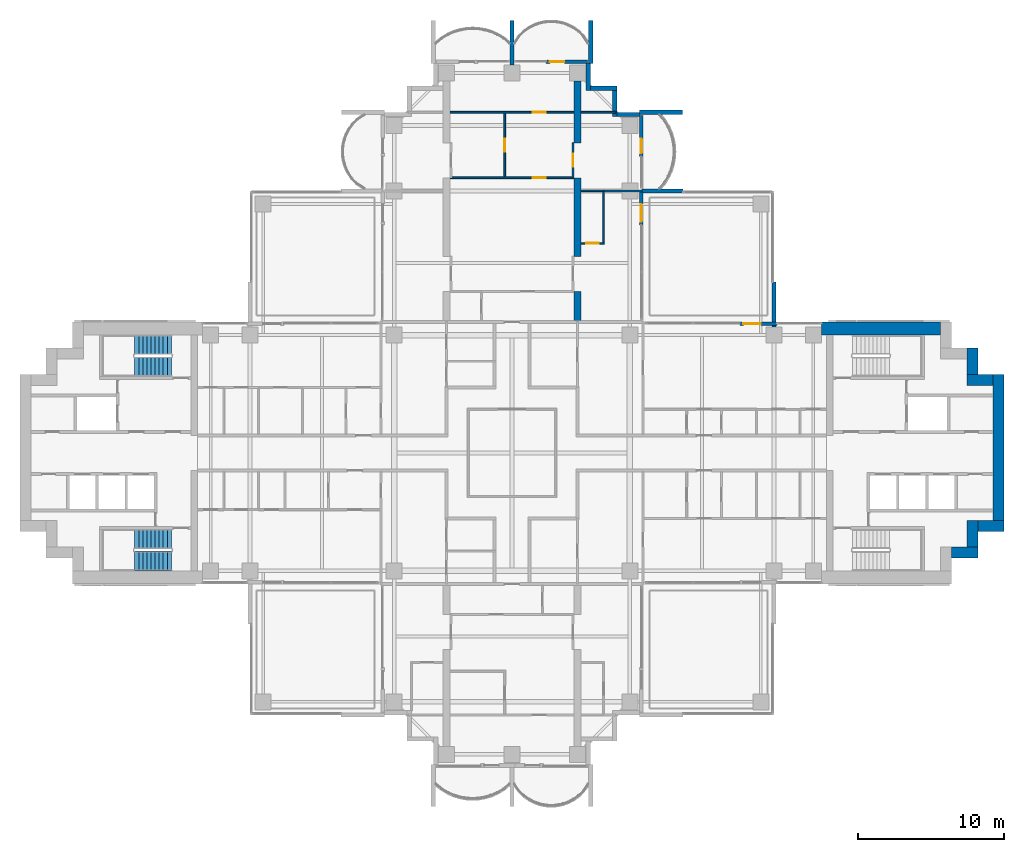
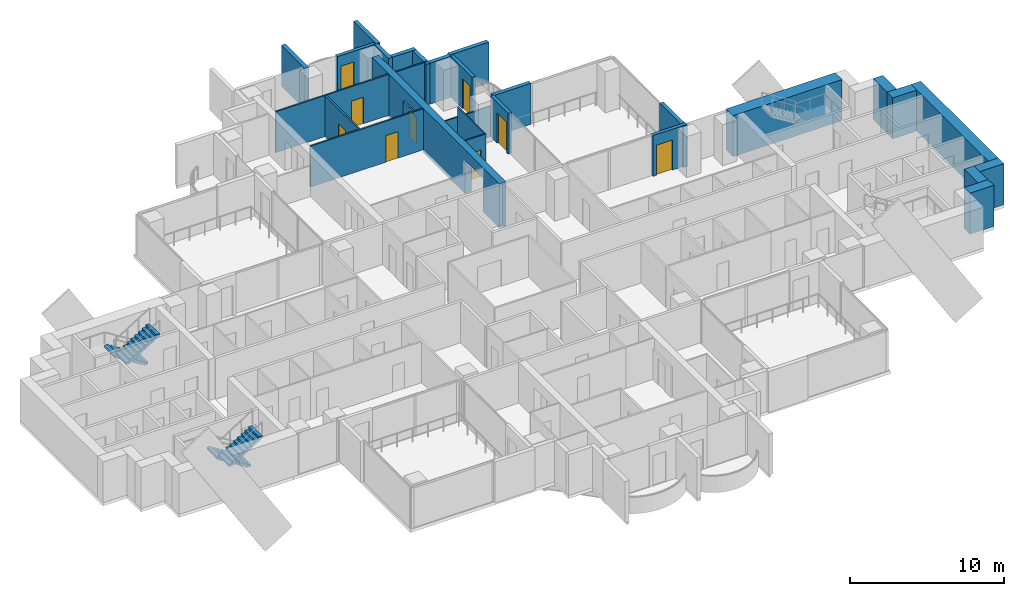
# One storey, part 14 of 19: 30 walls, 9 doors, 4 stair flights, 9 openings, 2 elements without a shape of their own.
"""IFC4 building model written with IfcOpenShell, lengths in metres."""

import ifcopenshell
import ifcopenshell.guid

model = None  # the IFC model being written
_history = None  # IfcOwnerHistory: only IFC2X3 demands one
_inside = {}  # id of a spatial element -> (the spatial element, [elements in it])
_under = {}  # id of a project, library or spatial element -> (it, [spatial elements below it])
_declared = {}  # id of a project -> (the project, [libraries it declares])
_typed = {}  # id of a type object -> (the type object, [elements of that type])
_made_of = {}  # id of a material, layer set ... -> (it, [elements and type objects made of it])


def new_model(schema):
    """Start an empty IFC model of exactly this schema.

    Asked for "IFC4X3", IfcOpenShell would pick the latest addendum, in which some entities
    have other attributes; the version numbers below select the first issue.
    IFC2X3 requires an IfcOwnerHistory on every rooted entity: one is made here for all.
    """
    global model, _history
    if schema == "IFC4X3":
        model = ifcopenshell.file(schema_version=(4, 3, 0, 0))
    else:
        model = ifcopenshell.file(schema=schema)
    _inside.clear()
    _under.clear()
    _declared.clear()
    _typed.clear()
    _made_of.clear()
    _history = None
    if model.schema == "IFC2X3":
        org = make("IfcOrganization", Name="unknown")
        user = make(
            "IfcPersonAndOrganization",
            ThePerson=make("IfcPerson", FamilyName="unknown"),
            TheOrganization=org,
        )
        app = make(
            "IfcApplication",
            ApplicationDeveloper=org,
            Version="unknown",
            ApplicationFullName="unknown",
            ApplicationIdentifier="unknown",
        )
        _history = make(
            "IfcOwnerHistory",
            OwningUser=user,
            OwningApplication=app,
            ChangeAction="ADDED",
            CreationDate=0,
        )
    return model


def make(cls, **values):
    """One entity of the class cls with the attributes given. An attribute that is None is left unset."""
    return model.create_entity(
        cls, **{name: value for name, value in values.items() if value is not None}
    )


def rooted(cls, **values):
    """An entity with a GlobalId (a new one), such as an element, a storey or a relation."""
    return make(cls, GlobalId=ifcopenshell.guid.new(), OwnerHistory=_history, **values)


def si_unit(unit_type, name, prefix=None):
    """IfcSIUnit, for example si_unit("LENGTHUNIT", "METRE", prefix="MILLI")."""
    return make("IfcSIUnit", UnitType=unit_type, Prefix=prefix, Name=name)


def assignment(units):
    """IfcUnitAssignment: the units of a project."""
    return None if units is None else make("IfcUnitAssignment", Units=units)


def point(xyz):
    """IfcCartesianPoint."""
    return None if xyz is None else make("IfcCartesianPoint", Coordinates=xyz)


def direction(xyz):
    """IfcDirection."""
    return None if xyz is None else make("IfcDirection", DirectionRatios=xyz)


def frame(location, z_axis=None, x_axis=None):
    """IfcAxis2Placement3D, a coordinate frame: its origin and axes. An axis left out is left unset."""
    return make(
        "IfcAxis2Placement3D",
        Location=point(location),
        Axis=direction(z_axis),
        RefDirection=direction(x_axis),
    )


def frame_2d(location, x_axis=None):
    """IfcAxis2Placement2D, a coordinate frame in the plane: its origin and x axis."""
    return make(
        "IfcAxis2Placement2D", Location=point(location), RefDirection=direction(x_axis)
    )


def origin():
    """The frame at (0, 0, 0) with its axes left unset."""
    return frame((0.0, 0.0, 0.0))


def place(relative_to, where):
    """IfcLocalPlacement: puts the frame where relative to a parent placement (None: the world)."""
    return make(
        "IfcLocalPlacement", PlacementRelTo=relative_to, RelativePlacement=where
    )


def context(
    kind, dimensions, precision=None, world=None, true_north=None, identifier=None
):
    """IfcGeometricRepresentationContext, for example the 3D "Model" context."""
    return make(
        "IfcGeometricRepresentationContext",
        ContextIdentifier=identifier,
        ContextType=kind,
        CoordinateSpaceDimension=dimensions,
        Precision=precision,
        WorldCoordinateSystem=world,
        TrueNorth=true_north,
    )


def subcontext(parent, identifier, kind, view, scale=None):
    """IfcGeometricRepresentationSubContext, for example "Body" below "Model"."""
    return make(
        "IfcGeometricRepresentationSubContext",
        ContextIdentifier=identifier,
        ContextType=kind,
        ParentContext=parent,
        TargetScale=scale,
        TargetView=view,
    )


def project(units=None, contexts=None):
    """IfcProject with its units and contexts."""
    return rooted(
        "IfcProject",
        Name="project",
        RepresentationContexts=contexts,
        UnitsInContext=assignment(units),
    )


def spatial(cls, under=None, at=None, **own):
    """A site, building, storey or space (cls), placed at a placement, below another one or the project."""
    s = rooted(cls, ObjectPlacement=at, **own)
    if under is not None:
        _under.setdefault(under.id(), (under, []))[1].append(s)
    return s


def polyline(points):
    """IfcPolyline through the points."""
    return make("IfcPolyline", Points=[point(p) for p in points])


def profile(cls, at=None, kind="AREA", **sizes):
    """A parametric profile (cls). Its sizes go by their IFC names, for example OverallWidth=200.0."""
    return make(cls, ProfileType=kind, Position=at, **sizes)


def rectangle(**sizes):
    """IfcRectangleProfileDef."""
    return profile("IfcRectangleProfileDef", **sizes)


def outline(outer, holes=None, kind="AREA"):
    """IfcArbitraryClosedProfileDef: a profile drawn as a closed curve; with holes, ...WithVoids."""
    if holes is None:
        return make("IfcArbitraryClosedProfileDef", ProfileType=kind, OuterCurve=outer)
    return make(
        "IfcArbitraryProfileDefWithVoids",
        ProfileType=kind,
        OuterCurve=outer,
        InnerCurves=holes,
    )


def extrude(swept, where, along, depth):
    """IfcExtrudedAreaSolid: the profile swept, set in the frame where, extruded along a direction by depth."""
    return make(
        "IfcExtrudedAreaSolid",
        SweptArea=swept,
        Position=where,
        ExtrudedDirection=direction(along),
        Depth=depth,
    )


def shape(context_of_items, identifier, shape_type, items):
    """IfcShapeRepresentation: the items that make up one representation, for example the "Body"."""
    return make(
        "IfcShapeRepresentation",
        ContextOfItems=context_of_items,
        RepresentationIdentifier=identifier,
        RepresentationType=shape_type,
        Items=items,
    )


def material(Name=None, Category=None):
    """IfcMaterial."""
    return make("IfcMaterial", Name=Name, Category=Category)


def layer(
    of_material, thickness, ventilated=None, Name=None, Category=None, Priority=None
):
    """IfcMaterialLayer: one layer of a wall or slab, of a material (None: an air gap)."""
    return make(
        "IfcMaterialLayer",
        Material=of_material,
        LayerThickness=thickness,
        IsVentilated=ventilated,
        Name=Name,
        Category=Category,
        Priority=Priority,
    )


def layer_set(layers, Name=None):
    """IfcMaterialLayerSet."""
    return make("IfcMaterialLayerSet", MaterialLayers=layers, LayerSetName=Name)


def material_profile(
    of_material, cross_section, Name=None, Category=None, Priority=None
):
    """IfcMaterialProfile: a cross section and its material."""
    return make(
        "IfcMaterialProfile",
        Name=Name,
        Material=of_material,
        Profile=cross_section,
        Priority=Priority,
        Category=Category,
    )


def profile_set(profiles, Name=None, composite=None):
    """IfcMaterialProfileSet."""
    return make(
        "IfcMaterialProfileSet",
        Name=Name,
        MaterialProfiles=profiles,
        CompositeProfile=composite,
    )


def made_of(thing, what):
    """Note that an element or type object is made of a material, layer set ...; save() writes the relation."""
    if what is not None:
        _made_of.setdefault(what.id(), (what, []))[1].append(thing)
    return thing


def type_object(cls, material=None, **own):
    """A type object (cls), such as IfcWallType, which elements share."""
    return made_of(rooted(cls, **own), material)


def element(
    cls,
    number,
    at=None,
    inside=None,
    cuts=None,
    type_object=None,
    material=None,
    context=None,
    identifier="Body",
    shape_type=None,
    held_by="IfcProductDefinitionShape",
    body=None,
    shapes=None,
    **own,
):
    """One element of the class cls, such as IfcWall. Its Tag is "e" and its number.

    at: its placement. inside: the storey or other place that contains it. cuts: it is an
    opening in that element (IfcRelVoidsElement). A single representation is given by context,
    identifier, shape_type and body (its items); several are given by shapes. held_by: the class
    of the entity that holds the representations. save() writes the other relations.
    """
    e = rooted(cls, Tag="e%d" % number, ObjectPlacement=at, **own)
    if body is not None:
        shapes = [shape(context, identifier, shape_type, body)]
    if shapes is not None:
        e.Representation = make(held_by, Representations=shapes)
    if inside is not None:
        _inside.setdefault(inside.id(), (inside, []))[1].append(e)
    if cuts is not None:
        rooted(
            "IfcRelVoidsElement", RelatingBuildingElement=cuts, RelatedOpeningElement=e
        )
    if type_object is not None:
        _typed.setdefault(type_object.id(), (type_object, []))[1].append(e)
    return made_of(e, material)


def fill(opening, filler):
    """IfcRelFillsElement: the door or window that sits in an opening."""
    return rooted(
        "IfcRelFillsElement",
        RelatingOpeningElement=opening,
        RelatedBuildingElement=filler,
    )


def aggregate(whole, parts):
    """IfcRelAggregates: a whole, such as a stair, and the parts it consists of."""
    return rooted("IfcRelAggregates", RelatingObject=whole, RelatedObjects=parts)


def save(model, path):
    """Write the relations noted so far, then the file.

    IfcRelAggregates (storeys below a building ...), IfcRelContainedInSpatialStructure (elements
    in a storey), IfcRelDefinesByType, IfcRelAssociatesMaterial and IfcRelDeclares: one each for
    every whole, place, type object, material and project.
    """
    for whole, parts in _under.values():
        aggregate(whole, parts)
    for where, things in _inside.values():
        rooted(
            "IfcRelContainedInSpatialStructure",
            RelatedElements=things,
            RelatingStructure=where,
        )
    for kind, things in _typed.values():
        rooted("IfcRelDefinesByType", RelatedObjects=things, RelatingType=kind)
    for what, things in _made_of.values():
        rooted("IfcRelAssociatesMaterial", RelatedObjects=things, RelatingMaterial=what)
    for by, libraries in _declared.values():
        rooted("IfcRelDeclares", RelatingContext=by, RelatedDefinitions=libraries)
    model.write(path)


model = new_model("IFC4")

# Units and contexts
model_context = context("Model", 3, precision=1e-05, world=origin(), true_north=direction((0.0, 1.0)))
body_context = subcontext(model_context, "Body", "Model", "MODEL_VIEW")
ifc_project = project(units=[si_unit("LENGTHUNIT", "METRE"), si_unit("AREAUNIT", "SQUARE_METRE"), si_unit("VOLUMEUNIT", "CUBIC_METRE"), si_unit("PLANEANGLEUNIT", "RADIAN"), si_unit("MASSUNIT", "GRAM", prefix="KILO")], contexts=[model_context])

# Site, building, storey
site_placement = place(None, origin())
site = spatial("IfcSite", under=ifc_project, at=site_placement, CompositionType="ELEMENT")
building_placement = place(site_placement, origin())
building = spatial("IfcBuilding", under=site, at=building_placement, Name="Perihelion Cross Residences", CompositionType="ELEMENT")
storey_placement = place(building_placement, frame((0.0, 0.0, 137.39990234375)))
storey = spatial("IfcBuildingStorey", under=building, at=storey_placement, Name="L33", CompositionType="ELEMENT", Elevation=137.39990234375)

# Wall, opening, door
ifc_material_1 = material(Name="Concrete C30/37, bronze-clad", Category="concrete")
ifc_layer_1 = layer(ifc_material_1, 0.25)
ifc_layer_set_1 = layer_set([ifc_layer_1], Name="Bronze-clad pier wall 250")
wall_type_1 = type_object("IfcWallType", Name="Bronze-clad pier wall 250", PredefinedType="SOLIDWALL", material=ifc_layer_set_1)
wall_1_placement = place(storey_placement, frame((18.199951171875, 8.875, 0.0), z_axis=(0.0, 0.0, 1.0), x_axis=(-1.0, 0.0, 0.0)))
wall_1 = element("IfcWall", 1, at=wall_1_placement, inside=storey, type_object=wall_type_1, Name="Wall FW1 L33 east side north bay 2 pier", PredefinedType="SOLIDWALL", context=body_context, shape_type="SweptSolid", body=[
    extrude(rectangle(XDim=2.550048828125, YDim=0.25, at=frame_2d((1.27490234375, 0.0))), origin(), (0.0, 0.0, 1.0), 3.25),
])
opening_1_placement = place(wall_1_placement, frame((1.10009765625, 0.0, 0.0)))
opening_1 = element("IfcOpeningElement", 2, at=opening_1_placement, cuts=wall_1, Name="Opening L33.E01", PredefinedType="OPENING", context=body_context, shape_type="SweptSolid", body=[
    extrude(rectangle(XDim=1.199951171875, YDim=2.39990234375, at=frame_2d((0.60009765625, 1.199951171875))), frame((0.0, 0.135009765625, 0.0), z_axis=(0.0, -1.0, 0.0), x_axis=(1.0, 0.0, 0.0)), (0.0, 0.0, 1.0), 0.27001953125),
])
ifc_material_2 = material(Name="Bronze anodised aluminium, glazed", Category="aluminium")
door_type_1 = type_object("IfcDoorType", Name="Balcony door 1200 x 2400", OperationType="NOTDEFINED", PredefinedType="DOOR", material=ifc_material_2)
door_1_placement = place(opening_1_placement, origin())
door_1 = element("IfcDoor", 3, at=door_1_placement, inside=storey, type_object=door_type_1, Name="Door L33.E01 east side north bay 2", OperationType="SINGLE_SWING_RIGHT", OverallHeight=2.39990234375, OverallWidth=1.199951171875, PredefinedType="DOOR", context=body_context, shape_type="SweptSolid", body=[
    extrude(rectangle(XDim=1.199951171875, YDim=2.39990234375, at=frame_2d((0.60009765625, 1.199951171875))), frame((0.0, 0.02490234375, 0.0), z_axis=(0.0, -1.0, 0.0), x_axis=(1.0, 0.0, 0.0)), (0.0, 0.0, 1.0), 0.050048828125),
])
fill(opening_1, door_1)

wall_2_placement = place(storey_placement, frame((8.875, 15.64990234375, 0.0), z_axis=(0.0, 0.0, 1.0), x_axis=(0.0, 1.0, 0.0)))
wall_2 = element("IfcWall", 4, at=wall_2_placement, inside=storey, type_object=wall_type_1, Name="Wall FW1 L33 north side east bay 1 pier", PredefinedType="SOLIDWALL", context=body_context, shape_type="SweptSolid", body=[
    extrude(rectangle(XDim=2.2900390625, YDim=0.25, at=frame_2d((1.14501953125, 0.0))), origin(), (0.0, 0.0, 1.0), 3.25),
])
opening_2_placement = place(wall_2_placement, frame((0.25, 0.0, 0.0)))
opening_2 = element("IfcOpeningElement", 5, at=opening_2_placement, cuts=wall_2, Name="Opening L33.E02", PredefinedType="OPENING", context=body_context, shape_type="SweptSolid", body=[
    extrude(rectangle(XDim=1.199951171875, YDim=2.39990234375, at=frame_2d((0.60009765625, 1.199951171875))), frame((0.0, 0.135009765625, 0.0), z_axis=(0.0, -1.0, 0.0), x_axis=(1.0, 0.0, 0.0)), (0.0, 0.0, 1.0), 0.27001953125),
])
door_2_placement = place(opening_2_placement, origin())
door_2 = element("IfcDoor", 6, at=door_2_placement, inside=storey, type_object=door_type_1, Name="Door L33.E02 north side east bay 1", OperationType="SINGLE_SWING_LEFT", OverallHeight=2.39990234375, OverallWidth=1.199951171875, PredefinedType="DOOR", context=body_context, shape_type="SweptSolid", body=[
    extrude(rectangle(XDim=1.199951171875, YDim=2.39990234375, at=frame_2d((0.60009765625, 1.199951171875))), frame((0.0, 0.02490234375, 0.0), z_axis=(0.0, -1.0, 0.0), x_axis=(1.0, 0.0, 0.0)), (0.0, 0.0, 1.0), 0.050048828125),
])
fill(opening_2, door_2)

wall_3_placement = place(storey_placement, frame((8.875, 20.35009765625, 0.0), z_axis=(0.0, 0.0, 1.0), x_axis=(0.0, 1.0, 0.0)))
wall_3 = element("IfcWall", 7, at=wall_3_placement, inside=storey, type_object=wall_type_1, Name="Wall FW1 L33 north side east bay 2 pier", PredefinedType="SOLIDWALL", context=body_context, shape_type="SweptSolid", body=[
    extrude(rectangle(XDim=2.849853515625, YDim=0.25, at=frame_2d((1.4248046875, 0.0))), origin(), (0.0, 0.0, 1.0), 3.25),
])
opening_3_placement = place(wall_3_placement, frame((0.25, 0.0, 0.0)))
opening_3 = element("IfcOpeningElement", 8, at=opening_3_placement, cuts=wall_3, Name="Opening L33.E03", PredefinedType="OPENING", context=body_context, shape_type="SweptSolid", body=[
    extrude(rectangle(XDim=1.0, YDim=2.39990234375, at=frame_2d((0.5, 1.199951171875))), frame((0.0, 0.135009765625, 0.0), z_axis=(0.0, -1.0, 0.0), x_axis=(1.0, 0.0, 0.0)), (0.0, 0.0, 1.0), 0.27001953125),
])
ifc_material_3 = material(Name="Bronze anodised aluminium, glazed", Category="aluminium")
door_type_2 = type_object("IfcDoorType", Name="Balcony door 1000 x 2400", OperationType="NOTDEFINED", PredefinedType="DOOR", material=ifc_material_3)
door_3_placement = place(opening_3_placement, origin())
door_3 = element("IfcDoor", 9, at=door_3_placement, inside=storey, type_object=door_type_2, Name="Door L33.E03 north side east bay 2", OperationType="SINGLE_SWING_RIGHT", OverallHeight=2.39990234375, OverallWidth=1.0, PredefinedType="DOOR", context=body_context, shape_type="SweptSolid", body=[
    extrude(rectangle(XDim=1.0, YDim=2.39990234375, at=frame_2d((0.5, 1.199951171875))), frame((0.0, 0.02490234375, 0.0), z_axis=(0.0, -1.0, 0.0), x_axis=(1.0, 0.0, 0.0)), (0.0, 0.0, 1.0), 0.050048828125),
])
fill(opening_3, door_3)

wall_4_placement = place(storey_placement, frame((5.199951171875, 26.875, 0.0), z_axis=(0.0, 0.0, 1.0), x_axis=(-1.0, 0.0, 0.0)))
wall_4 = element("IfcWall", 10, at=wall_4_placement, inside=storey, type_object=wall_type_1, Name="Wall FW1 L33 north tip north bay 1 pier", PredefinedType="SOLIDWALL", context=body_context, shape_type="SweptSolid", body=[
    extrude(rectangle(XDim=2.849853515625, YDim=0.25, at=frame_2d((1.4248046875, 0.0))), origin(), (0.0, 0.0, 1.0), 3.25),
])
opening_4_placement = place(wall_4_placement, frame((1.60009765625, 0.0, 0.0)))
opening_4 = element("IfcOpeningElement", 11, at=opening_4_placement, cuts=wall_4, Name="Opening L33.E04", PredefinedType="OPENING", context=body_context, shape_type="SweptSolid", body=[
    extrude(rectangle(XDim=1.0, YDim=2.39990234375, at=frame_2d((0.5, 1.199951171875))), frame((0.0, 0.135009765625, 0.0), z_axis=(0.0, -1.0, 0.0), x_axis=(1.0, 0.0, 0.0)), (0.0, 0.0, 1.0), 0.27001953125),
])
door_4_placement = place(opening_4_placement, origin())
door_4 = element("IfcDoor", 12, at=door_4_placement, inside=storey, type_object=door_type_2, Name="Door L33.E04 north tip north bay 1", OperationType="SINGLE_SWING_LEFT", OverallHeight=2.39990234375, OverallWidth=1.0, PredefinedType="DOOR", context=body_context, shape_type="SweptSolid", body=[
    extrude(rectangle(XDim=1.0, YDim=2.39990234375, at=frame_2d((0.5, 1.199951171875))), frame((0.0, 0.02490234375, 0.0), z_axis=(0.0, -1.0, 0.0), x_axis=(1.0, 0.0, 0.0)), (0.0, 0.0, 1.0), 0.050048828125),
])
fill(opening_4, door_4)

# Walls
ifc_material_4 = material(Name="Concrete C30/37, bronze-clad", Category="concrete")
ifc_layer_2 = layer(ifc_material_4, 0.300048828125)
ifc_layer_set_2 = layer_set([ifc_layer_2], Name="Bronze-clad serration wall 300")
wall_type_2 = type_object("IfcWallType", Name="Bronze-clad serration wall 300", PredefinedType="SOLIDWALL", material=ifc_layer_set_2)
wall_5_placement = place(storey_placement, frame((8.75, 23.25, 0.0), z_axis=(0.0, 0.0, 1.0), x_axis=(-1.0, 0.0, 0.0)))
element("IfcWall", 13, at=wall_5_placement, inside=storey, type_object=wall_type_2, Name="Wall SR1 L33 north corner north-east 1", PredefinedType="SOLIDWALL", context=body_context, shape_type="SweptSolid", body=[
    extrude(rectangle(XDim=1.550048828125, YDim=0.300048828125, at=frame_2d((0.77490234375, 0.0))), origin(), (0.0, 0.0, 1.0), 3.25),
])
wall_6_placement = place(storey_placement, frame((7.050048828125, 23.10009765625, 0.0), z_axis=(0.0, 0.0, 1.0), x_axis=(0.0, 1.0, 0.0)))
element("IfcWall", 14, at=wall_6_placement, inside=storey, type_object=wall_type_2, Name="Wall SR1 L33 north corner north-east 2", PredefinedType="SOLIDWALL", context=body_context, shape_type="SweptSolid", body=[
    extrude(rectangle(XDim=1.7998046875, YDim=0.300048828125, at=frame_2d((0.89990234375, 0.0))), origin(), (0.0, 0.0, 1.0), 3.25),
])
wall_7_placement = place(storey_placement, frame((7.199951171875, 25.050048828125, 0.0), z_axis=(0.0, 0.0, 1.0), x_axis=(-1.0, 0.0, 0.0)))
element("IfcWall", 15, at=wall_7_placement, inside=storey, type_object=wall_type_2, Name="Wall SR1 L33 north corner north-east 3", PredefinedType="SOLIDWALL", context=body_context, shape_type="SweptSolid", body=[
    extrude(rectangle(XDim=1.800048828125, YDim=0.300048828125, at=frame_2d((0.89990234375, 0.0))), origin(), (0.0, 0.0, 1.0), 3.25),
])
wall_8_placement = place(storey_placement, frame((5.25, 24.89990234375, 0.0), z_axis=(0.0, 0.0, 1.0), x_axis=(0.0, 1.0, 0.0)))
element("IfcWall", 16, at=wall_8_placement, inside=storey, type_object=wall_type_2, Name="Wall SR1 L33 north corner north-east 4", PredefinedType="SOLIDWALL", context=body_context, shape_type="SweptSolid", body=[
    extrude(rectangle(XDim=1.85009765625, YDim=0.300048828125, at=frame_2d((0.925048828125, 0.0))), origin(), (0.0, 0.0, 1.0), 3.25),
])
ifc_material_5 = material(Name="Concrete C60/75", Category="concrete")
ifc_layer_3 = layer(ifc_material_5, 0.75)
ifc_layer_set_3 = layer_set([ifc_layer_3], Name="Core wall, outer 750")
wall_type_3 = type_object("IfcWallType", Name="Core wall, outer 750", PredefinedType="SHEAR", material=ifc_layer_set_3)
for number, where, z_axis, x_axis, name in (
    (17, (30.199951171875, -6.824951171875, 0.0), (0.0, 0.0, 1.0), (1.0, 0.0, 0.0), "East core core wall, outer"),
    (18, (31.625, -6.449951171875, 0.0), (0.0, 0.0, 1.0), (0.0, 1.0, 0.0), "East core core wall, outer"),
    (19, (32.0, -5.02490234375, 0.0), (0.0, 0.0, 1.0), (1.0, 0.0, 0.0), "East core core wall, outer"),
):
    element("IfcWall", number, at=place(storey_placement, frame(where, z_axis=z_axis, x_axis=x_axis)), inside=storey, type_object=wall_type_3, Name=name, PredefinedType="SHEAR", context=body_context, shape_type="SweptSolid", body=[
        extrude(rectangle(XDim=1.800048828125, YDim=0.75, at=frame_2d((0.89990234375, 0.0))), origin(), (0.0, 0.0, 1.0), 3.25),
    ])
wall_9_placement = place(storey_placement, frame((33.425048828125, -4.64990234375, 0.0), z_axis=(0.0, 0.0, 1.0), x_axis=(0.0, 1.0, 0.0)))
element("IfcWall", 20, at=wall_9_placement, inside=storey, type_object=wall_type_3, Name="East core core wall, outer", PredefinedType="SHEAR", context=body_context, shape_type="SweptSolid", body=[
    extrude(rectangle(XDim=10.0498046875, YDim=0.75, at=frame_2d((5.02490234375, 0.0))), origin(), (0.0, 0.0, 1.0), 3.25),
])
for number, where, z_axis, x_axis, name in (
    (21, (31.25, 5.02490234375, 0.0), (0.0, 0.0, 1.0), (1.0, 0.0, 0.0), "East core core wall, outer"),
    (22, (31.625, 5.39990234375, 0.0), (0.0, 0.0, 1.0), (0.0, 1.0, 0.0), "East core core wall, outer"),
):
    element("IfcWall", number, at=place(storey_placement, frame(where, z_axis=z_axis, x_axis=x_axis)), inside=storey, type_object=wall_type_3, Name=name, PredefinedType="SHEAR", context=body_context, shape_type="SweptSolid", body=[
        extrude(rectangle(XDim=1.800048828125, YDim=0.75, at=frame_2d((0.89990234375, 0.0))), origin(), (0.0, 0.0, 1.0), 3.25),
    ])
ifc_material_6 = material(Name="Concrete C60/75", Category="concrete")
ifc_layer_4 = layer(ifc_material_6, 0.89990234375)
ifc_layer_set_4 = layer_set([ifc_layer_4], Name="Core wall, outer 900")
wall_type_4 = type_object("IfcWallType", Name="Core wall, outer 900", PredefinedType="SHEAR", material=ifc_layer_set_4)
wall_10_placement = place(storey_placement, frame((21.25, 8.550048828125, 0.0), z_axis=(0.0, 0.0, 1.0), x_axis=(1.0, 0.0, 0.0)))
element("IfcWall", 23, at=wall_10_placement, inside=storey, type_object=wall_type_4, Name="East core core wall, outer", PredefinedType="SHEAR", context=body_context, shape_type="SweptSolid", body=[
    extrude(rectangle(XDim=8.199951171875, YDim=0.89990234375, at=frame_2d((4.10009765625, 0.0))), origin(), (0.0, 0.0, 1.0), 3.25),
])

# Wall, opening, door
ifc_material_7 = material(Name="Plasterboard partition")
ifc_layer_5 = layer(ifc_material_7, 0.1201171875)
ifc_layer_set_5 = layer_set([ifc_layer_5], Name="Infill panel 120")
wall_type_5 = type_object("IfcWallType", Name="Infill panel 120", PredefinedType="PARTITIONING", material=ifc_layer_set_5)
wall_11_placement = place(storey_placement, frame((4.18994140625, 18.89990234375, 0.0), z_axis=(0.0, 0.0, 1.0), x_axis=(0.0, 1.0, 0.0)))
wall_11 = element("IfcWall", 24, at=wall_11_placement, inside=storey, type_object=wall_type_5, Name="Partition L33 WI02", PredefinedType="PARTITIONING", context=body_context, shape_type="SweptSolid", body=[
    extrude(rectangle(XDim=2.400146484375, YDim=0.1201171875, at=frame_2d((1.2001953125, 0.0))), origin(), (0.0, 0.0, 1.0), 2.400146484375),
])
opening_5_placement = place(wall_11_placement, frame((0.75, 0.0, 0.0)))
opening_5 = element("IfcOpeningElement", 25, at=opening_5_placement, cuts=wall_11, Name="Opening L33.A51", PredefinedType="OPENING", context=body_context, shape_type="SweptSolid", body=[
    extrude(rectangle(XDim=0.89990234375, YDim=2.10009765625, at=frame_2d((0.449951171875, 1.050048828125))), frame((0.0, 0.070068359375, 0.0), z_axis=(0.0, -1.0, 0.0), x_axis=(1.0, 0.0, 0.0)), (0.0, 0.0, 1.0), 0.14013671875),
])
ifc_material_8 = material(Name="Timber door leaf", Category="wood")
door_type_3 = type_object("IfcDoorType", Name="Interior room door 900 x 2100", OperationType="SINGLE_SWING_LEFT", PredefinedType="DOOR", material=ifc_material_8)
door_5_placement = place(opening_5_placement, origin())
door_5 = element("IfcDoor", 26, at=door_5_placement, inside=storey, type_object=door_type_3, Name="Door L33.A51", OperationType="SINGLE_SWING_LEFT", OverallHeight=2.10009765625, OverallWidth=0.89990234375, PredefinedType="DOOR", context=body_context, shape_type="SweptSolid", body=[
    extrude(rectangle(XDim=0.89990234375, YDim=2.10009765625, at=frame_2d((0.449951171875, 1.050048828125))), frame((0.0, 0.02490234375, 0.0), z_axis=(0.0, -1.0, 0.0), x_axis=(1.0, 0.0, 0.0)), (0.0, 0.0, 1.0), 0.050048828125),
])
fill(opening_5, door_5)

ifc_material_9 = material(Name="Plasterboard partition")
ifc_layer_6 = layer(ifc_material_9, 0.1201171875)
ifc_layer_set_6 = layer_set([ifc_layer_6], Name="Partition wall 120")
wall_type_6 = type_object("IfcWallType", Name="Partition wall 120", PredefinedType="PARTITIONING", material=ifc_layer_set_6)
wall_12_placement = place(storey_placement, frame((-4.25, 18.89990234375, 0.0), z_axis=(0.0, 0.0, 1.0), x_axis=(1.0, 0.0, 0.0)))
wall_12 = element("IfcWall", 27, at=wall_12_placement, inside=storey, type_object=wall_type_6, Name="Partition L33 W067", PredefinedType="PARTITIONING", context=body_context, shape_type="SweptSolid", body=[
    extrude(rectangle(XDim=8.5, YDim=0.1201171875, at=frame_2d((4.25, 0.0))), origin(), (0.0, 0.0, 1.0), 3.25),
])
opening_6_placement = place(wall_12_placement, frame((5.675048828125, 0.0, 0.0)))
opening_6 = element("IfcOpeningElement", 28, at=opening_6_placement, cuts=wall_12, Name="Opening L33.A35", PredefinedType="OPENING", context=body_context, shape_type="SweptSolid", body=[
    extrude(rectangle(XDim=0.89990234375, YDim=2.10009765625, at=frame_2d((0.449951171875, 1.050048828125))), frame((0.0, 0.070068359375, 0.0), z_axis=(0.0, -1.0, 0.0), x_axis=(1.0, 0.0, 0.0)), (0.0, 0.0, 1.0), 0.14013671875),
])
door_6_placement = place(opening_6_placement, origin())
door_6 = element("IfcDoor", 29, at=door_6_placement, inside=storey, type_object=door_type_3, Name="Door L33.A35", OperationType="SINGLE_SWING_RIGHT", OverallHeight=2.10009765625, OverallWidth=0.89990234375, PredefinedType="DOOR", context=body_context, shape_type="SweptSolid", body=[
    extrude(rectangle(XDim=0.89990234375, YDim=2.10009765625, at=frame_2d((0.449951171875, 1.050048828125))), frame((0.0, 0.02490234375, 0.0), z_axis=(0.0, -1.0, 0.0), x_axis=(1.0, 0.0, 0.0)), (0.0, 0.0, 1.0), 0.050048828125),
])
fill(opening_6, door_6)

wall_13_placement = place(storey_placement, frame((-0.5, 18.9599609375, 0.0), z_axis=(0.0, 0.0, 1.0), x_axis=(0.0, 1.0, 0.0)))
wall_13 = element("IfcWall", 30, at=wall_13_placement, inside=storey, type_object=wall_type_6, Name="Partition L33 W068", PredefinedType="PARTITIONING", context=body_context, shape_type="SweptSolid", body=[
    extrude(rectangle(XDim=4.380126953125, YDim=0.1201171875, at=frame_2d((2.18994140625, 0.0))), origin(), (0.0, 0.0, 1.0), 3.25),
])
opening_7_placement = place(wall_13_placement, frame((1.739990234375, 0.0, 0.0)))
opening_7 = element("IfcOpeningElement", 31, at=opening_7_placement, cuts=wall_13, Name="Opening L33.A36", PredefinedType="OPENING", context=body_context, shape_type="SweptSolid", body=[
    extrude(rectangle(XDim=0.89990234375, YDim=2.10009765625, at=frame_2d((0.449951171875, 1.050048828125))), frame((0.0, 0.070068359375, 0.0), z_axis=(0.0, -1.0, 0.0), x_axis=(1.0, 0.0, 0.0)), (0.0, 0.0, 1.0), 0.14013671875),
])
door_7_placement = place(opening_7_placement, origin())
door_7 = element("IfcDoor", 32, at=door_7_placement, inside=storey, type_object=door_type_3, Name="Door L33.A36", OperationType="SINGLE_SWING_RIGHT", OverallHeight=2.10009765625, OverallWidth=0.89990234375, PredefinedType="DOOR", context=body_context, shape_type="SweptSolid", body=[
    extrude(rectangle(XDim=0.89990234375, YDim=2.10009765625, at=frame_2d((0.449951171875, 1.050048828125))), frame((0.0, 0.02490234375, 0.0), z_axis=(0.0, -1.0, 0.0), x_axis=(1.0, 0.0, 0.0)), (0.0, 0.0, 1.0), 0.050048828125),
])
fill(opening_7, door_7)

wall_14_placement = place(storey_placement, frame((-4.25, 23.39990234375, 0.0), z_axis=(0.0, 0.0, 1.0), x_axis=(1.0, 0.0, 0.0)))
wall_14 = element("IfcWall", 33, at=wall_14_placement, inside=storey, type_object=wall_type_6, Name="Partition L33 W069", PredefinedType="PARTITIONING", context=body_context, shape_type="SweptSolid", body=[
    extrude(rectangle(XDim=8.5, YDim=0.1201171875, at=frame_2d((4.25, 0.0))), origin(), (0.0, 0.0, 1.0), 3.25),
])
opening_8_placement = place(wall_14_placement, frame((5.675048828125, 0.0, 0.0)))
opening_8 = element("IfcOpeningElement", 34, at=opening_8_placement, cuts=wall_14, Name="Opening L33.A37", PredefinedType="OPENING", context=body_context, shape_type="SweptSolid", body=[
    extrude(rectangle(XDim=0.89990234375, YDim=2.10009765625, at=frame_2d((0.449951171875, 1.050048828125))), frame((0.0, 0.070068359375, 0.0), z_axis=(0.0, -1.0, 0.0), x_axis=(1.0, 0.0, 0.0)), (0.0, 0.0, 1.0), 0.14013671875),
])
door_8_placement = place(opening_8_placement, origin())
door_8 = element("IfcDoor", 35, at=door_8_placement, inside=storey, type_object=door_type_3, Name="Door L33.A37", OperationType="SINGLE_SWING_LEFT", OverallHeight=2.10009765625, OverallWidth=0.89990234375, PredefinedType="DOOR", context=body_context, shape_type="SweptSolid", body=[
    extrude(rectangle(XDim=0.89990234375, YDim=2.10009765625, at=frame_2d((0.449951171875, 1.050048828125))), frame((0.0, 0.02490234375, 0.0), z_axis=(0.0, -1.0, 0.0), x_axis=(1.0, 0.0, 0.0)), (0.0, 0.0, 1.0), 0.050048828125),
])
fill(opening_8, door_8)

# Walls
wall_15_placement = place(storey_placement, frame((6.300048828125, 18.0, 0.0), z_axis=(0.0, 0.0, 1.0), x_axis=(1.0, 0.0, 0.0)))
element("IfcWall", 36, at=wall_15_placement, inside=storey, type_object=wall_type_6, Name="Partition L33 W072", PredefinedType="PARTITIONING", context=body_context, shape_type="SweptSolid", body=[
    extrude(rectangle(XDim=2.619873046875, YDim=0.1201171875, at=frame_2d((1.31005859375, 0.0))), origin(), (0.0, 0.0, 1.0), 2.4140625),
])
wall_16_placement = place(storey_placement, frame((4.75, 23.39990234375, 0.0), z_axis=(0.0, 0.0, 1.0), x_axis=(1.0, 0.0, 0.0)))
element("IfcWall", 37, at=wall_16_placement, inside=storey, type_object=wall_type_6, Name="Partition L33 W074", PredefinedType="PARTITIONING", context=body_context, shape_type="SweptSolid", body=[
    extrude(rectangle(XDim=2.3701171875, YDim=0.1201171875, at=frame_2d((1.18505859375, 0.0))), origin(), (0.0, 0.0, 1.0), 3.25),
])
ifc_material_10 = material(Name="Precast concrete C50/60", Category="concrete")
ifc_layer_7 = layer(ifc_material_10, 0.300048828125)
ifc_layer_set_7 = layer_set([ifc_layer_7], Name="Precast concrete C50/60 blade wall 300")
wall_type_7 = type_object("IfcWallType", Name="Precast concrete C50/60 blade wall 300", PredefinedType="SOLIDWALL", material=ifc_layer_set_7)
wall_17_placement = place(storey_placement, frame((0.0, 26.64990234375, 0.0), z_axis=(0.0, 0.0, 1.0), x_axis=(0.0, 1.0, 0.0)))
element("IfcWall", 38, at=wall_17_placement, inside=storey, type_object=wall_type_7, Name="Wall BL1 L33 no. 9", PredefinedType="SOLIDWALL", context=body_context, shape_type="SweptSolid", body=[
    extrude(rectangle(XDim=3.050048828125, YDim=0.300048828125, at=frame_2d((1.52490234375, 0.0))), origin(), (0.0, 0.0, 1.0), 3.25),
])
wall_18_placement = place(storey_placement, frame((5.39990234375, 26.75, 0.0), z_axis=(0.0, 0.0, 1.0), x_axis=(0.0, 1.0, 0.0)))
element("IfcWall", 39, at=wall_18_placement, inside=storey, type_object=wall_type_7, Name="Wall BL1 L33 no. 13", PredefinedType="SOLIDWALL", context=body_context, shape_type="SweptSolid", body=[
    extrude(rectangle(XDim=2.949951171875, YDim=0.300048828125, at=frame_2d((1.47509765625, 0.0))), origin(), (0.0, 0.0, 1.0), 3.25),
])
wall_19_placement = place(storey_placement, frame((8.919921875, 18.0, 0.0), z_axis=(0.0, 0.0, 1.0), x_axis=(1.0, 0.0, 0.0)))
element("IfcWall", 40, at=wall_19_placement, inside=storey, type_object=wall_type_7, Name="Wall BL1 L33 no. 15", PredefinedType="SOLIDWALL", context=body_context, shape_type="SweptSolid", body=[
    extrude(rectangle(XDim=2.820068359375, YDim=0.300048828125, at=frame_2d((1.41015625, 0.0))), origin(), (0.0, 0.0, 1.0), 3.25),
])
wall_20_placement = place(storey_placement, frame((8.75, 23.39990234375, 0.0), z_axis=(0.0, 0.0, 1.0), x_axis=(1.0, 0.0, 0.0)))
element("IfcWall", 41, at=wall_20_placement, inside=storey, type_object=wall_type_7, Name="Wall BL1 L33 no. 16", PredefinedType="SOLIDWALL", context=body_context, shape_type="SweptSolid", body=[
    extrude(rectangle(XDim=2.949951171875, YDim=0.300048828125, at=frame_2d((1.47509765625, 0.0))), origin(), (0.0, 0.0, 1.0), 3.25),
])
wall_21_placement = place(storey_placement, frame((18.0, 8.64990234375, 0.0), z_axis=(0.0, 0.0, 1.0), x_axis=(0.0, 1.0, 0.0)))
element("IfcWall", 42, at=wall_21_placement, inside=storey, type_object=wall_type_7, Name="Wall BL1 L33 no. 11", PredefinedType="SOLIDWALL", context=body_context, shape_type="SweptSolid", body=[
    extrude(rectangle(XDim=3.090087890625, YDim=0.300048828125, at=frame_2d((1.544921875, 0.0))), origin(), (0.0, 0.0, 1.0), 3.25),
])
ifc_material_11 = material(Name="Concrete C60/75", Category="concrete")
ifc_material_profile = material_profile(ifc_material_11, outline(polyline([(0.0, 0.0), (2.10009765625, 0.0), (2.10009765625, 2.64990234375), (4.5, 2.64990234375), (4.5, 0.0), (9.89990234375, 0.0), (9.89990234375, 2.64990234375), (12.300048828125, 2.64990234375), (12.300048828125, 0.0), (16.550048828125, 0.0), (16.550048828125, 3.5), (0.0, 3.5), (0.0, 0.0)])), Name="Tip spine wall")
ifc_profile_set = profile_set([ifc_material_profile], Name="Concrete C60/75")
wall_type_8 = type_object("IfcWallType", Name="Tip spine wall 500 with 2 door openings 16550 long 3500 high concrete C60/75", PredefinedType="SHEAR", material=ifc_profile_set)
wall_22_placement = place(storey_placement, frame((4.25, 9.0, -0.25), z_axis=(1.0, 0.0, 0.0), x_axis=(0.0, 1.0, 0.0)))
element("IfcWall", 43, at=wall_22_placement, inside=storey, type_object=wall_type_8, Name="Shear wall SW34 L33 north east", PredefinedType="SHEAR", context=body_context, shape_type="SweptSolid", body=[
    extrude(outline(polyline([(0.0, 0.0), (2.10009765625, 0.0), (2.10009765625, 2.64990234375), (4.5, 2.64990234375), (4.5, 0.0), (9.89990234375, 0.0), (9.89990234375, 2.64990234375), (12.300048828125, 2.64990234375), (12.300048828125, 0.0), (16.550048828125, 0.0), (16.550048828125, 3.5), (0.0, 3.5), (0.0, 0.0)])), origin(), (0.0, 0.0, 1.0), 0.5),
])

# Wall, opening, door
ifc_material_12 = material(Name="Plasterboard partition")
ifc_layer_8 = layer(ifc_material_12, 0.10009765625)
ifc_layer_set_8 = layer_set([ifc_layer_8], Name="Wet room wall 100")
wall_type_9 = type_object("IfcWallType", Name="Wet room wall 100", PredefinedType="PARTITIONING", material=ifc_layer_set_8)
wall_23_placement = place(storey_placement, frame((4.75, 14.39990234375, 0.0), z_axis=(0.0, 0.0, 1.0), x_axis=(1.0, 0.0, 0.0)))
wall_23 = element("IfcWall", 44, at=wall_23_placement, inside=storey, type_object=wall_type_9, Name="Partition L33 W070", PredefinedType="PARTITIONING", context=body_context, shape_type="SweptSolid", body=[
    extrude(rectangle(XDim=1.60009765625, YDim=0.10009765625, at=frame_2d((0.800048828125, 0.0))), origin(), (0.0, 0.0, 1.0), 3.25),
])
opening_9_placement = place(wall_23_placement, frame((0.35009765625, 0.0, 0.0)))
opening_9 = element("IfcOpeningElement", 45, at=opening_9_placement, cuts=wall_23, Name="Opening L33.A38", PredefinedType="OPENING", context=body_context, shape_type="SweptSolid", body=[
    extrude(rectangle(XDim=0.85009765625, YDim=2.10009765625, at=frame_2d((0.425048828125, 1.050048828125))), frame((0.0, 0.06005859375, 0.0), z_axis=(0.0, -1.0, 0.0), x_axis=(1.0, 0.0, 0.0)), (0.0, 0.0, 1.0), 0.1201171875),
])
ifc_material_13 = material(Name="Timber door leaf", Category="wood")
door_type_4 = type_object("IfcDoorType", Name="Interior bathroom door 850 x 2100", OperationType="SINGLE_SWING_LEFT", PredefinedType="DOOR", material=ifc_material_13)
door_9_placement = place(opening_9_placement, origin())
door_9 = element("IfcDoor", 46, at=door_9_placement, inside=storey, type_object=door_type_4, Name="Door L33.A38", OperationType="SINGLE_SWING_RIGHT", OverallHeight=2.10009765625, OverallWidth=0.85009765625, PredefinedType="DOOR", context=body_context, shape_type="SweptSolid", body=[
    extrude(rectangle(XDim=0.85009765625, YDim=2.10009765625, at=frame_2d((0.425048828125, 1.050048828125))), frame((0.0, 0.02490234375, 0.0), z_axis=(0.0, -1.0, 0.0), x_axis=(1.0, 0.0, 0.0)), (0.0, 0.0, 1.0), 0.050048828125),
])
fill(opening_9, door_9)

# Walls
wall_24_placement = place(storey_placement, frame((6.300048828125, 14.449951171875, 0.0), z_axis=(0.0, 0.0, 1.0), x_axis=(0.0, 1.0, 0.0)))
element("IfcWall", 47, at=wall_24_placement, inside=storey, type_object=wall_type_9, Name="Partition L33 W071", PredefinedType="PARTITIONING", context=body_context, shape_type="SweptSolid", body=[
    extrude(rectangle(XDim=3.489990234375, YDim=0.10009765625, at=frame_2d((1.7451171875, 0.0))), origin(), (0.0, 0.0, 1.0), 3.25),
])
wall_25_placement = place(storey_placement, frame((4.75, 18.0, 0.0), z_axis=(0.0, 0.0, 1.0), x_axis=(1.0, 0.0, 0.0)))
element("IfcWall", 48, at=wall_25_placement, inside=storey, type_object=wall_type_9, Name="Partition L33 W073", PredefinedType="PARTITIONING", context=body_context, shape_type="SweptSolid", body=[
    extrude(rectangle(XDim=1.550048828125, YDim=0.10009765625, at=frame_2d((0.77490234375, 0.0))), origin(), (0.0, 0.0, 1.0), 2.4140625),
])

# Stair, stair flights
ifc_material_14 = material(Name="Concrete C40/50", Category="concrete")
stair_type = type_object("IfcStairType", Name="Exit stair, half-turn", PredefinedType="HALF_TURN_STAIR", material=ifc_material_14)
stair_1_placement = place(storey_placement, origin())
stair_1 = element("IfcStair", 49, at=stair_1_placement, inside=storey, type_object=stair_type, Name="L33 West core exit stair 1", PredefinedType="HALF_TURN_STAIR")
ifc_material_15 = material(Name="Concrete C40/50", Category="concrete")
stair_flight_type = type_object("IfcStairFlightType", Name="Exit stair flight", PredefinedType="STRAIGHT", material=ifc_material_15)
stair_flight_1_placement = place(storey_placement, frame((-23.39990234375, 7.425048828125, 0.0), z_axis=(0.0, 0.0, 1.0), x_axis=(-1.0, 0.0, 0.0)))
stair_flight_1 = element("IfcStairFlight", 50, at=stair_flight_1_placement, type_object=stair_flight_type, Name="ST-W1 flight 1", NumberOfRisers=10, NumberOfTreads=9, PredefinedType="STRAIGHT", RiserHeight=0.175, TreadLength=0.28, context=body_context, shape_type="SweptSolid", body=[
    extrude(outline(polyline([(0.0, 0.0), (0.0, 0.175048828125), (0.280029296875, 0.175048828125), (0.280029296875, 0.35009765625), (0.56005859375, 0.35009765625), (0.56005859375, 0.52490234375), (0.840087890625, 0.52490234375), (0.840087890625, 0.699951171875), (1.1201171875, 0.699951171875), (1.1201171875, 0.875), (1.39990234375, 0.875), (1.39990234375, 1.050048828125), (1.679931640625, 1.050048828125), (1.679931640625, 1.22509765625), (1.9599609375, 1.22509765625), (1.9599609375, 1.39990234375), (2.239990234375, 1.39990234375), (2.239990234375, 1.574951171875), (2.52001953125, 1.574951171875), (2.52001953125, 1.75), (2.52001953125, 1.398193359375), (0.28271484375, 0.0), (0.0, 0.0)])), frame((0.0, 0.675048828125, 0.0), z_axis=(0.0, -1.0, 0.0), x_axis=(1.0, 0.0, 0.0)), (0.0, 0.0, 1.0), 1.35009765625),
])
stair_flight_2_placement = place(storey_placement, frame((-25.919921875, 5.925048828125, 1.75), z_axis=(0.0, 0.0, 1.0), x_axis=(1.0, 0.0, 0.0)))
stair_flight_2 = element("IfcStairFlight", 51, at=stair_flight_2_placement, type_object=stair_flight_type, Name="ST-W1 flight 2", NumberOfRisers=10, NumberOfTreads=9, PredefinedType="STRAIGHT", RiserHeight=0.175, TreadLength=0.28, context=body_context, shape_type="SweptSolid", body=[
    extrude(outline(polyline([(0.0, 0.0), (0.0, 0.175048828125), (0.280029296875, 0.175048828125), (0.280029296875, 0.35009765625), (0.56005859375, 0.35009765625), (0.56005859375, 0.52490234375), (0.840087890625, 0.52490234375), (0.840087890625, 0.699951171875), (1.1201171875, 0.699951171875), (1.1201171875, 0.875), (1.39990234375, 0.875), (1.39990234375, 1.050048828125), (1.679931640625, 1.050048828125), (1.679931640625, 1.22509765625), (1.9599609375, 1.22509765625), (1.9599609375, 1.39990234375), (2.239990234375, 1.39990234375), (2.239990234375, 1.574951171875), (2.52001953125, 1.574951171875), (2.52001953125, 1.75), (2.52001953125, 1.398193359375), (0.28271484375, 0.0), (0.0, 0.0)])), frame((0.0, 0.675048828125, 0.0), z_axis=(0.0, -1.0, 0.0), x_axis=(1.0, 0.0, 0.0)), (0.0, 0.0, 1.0), 1.35009765625),
])
aggregate(stair_1, [stair_flight_1, stair_flight_2])

stair_2_placement = place(storey_placement, origin())
stair_2 = element("IfcStair", 52, at=stair_2_placement, inside=storey, type_object=stair_type, Name="L33 West core exit stair 2", PredefinedType="HALF_TURN_STAIR")
stair_flight_3_placement = place(storey_placement, frame((-23.39990234375, -5.925048828125, 0.0), z_axis=(0.0, 0.0, 1.0), x_axis=(-1.0, 0.0, 0.0)))
stair_flight_3 = element("IfcStairFlight", 53, at=stair_flight_3_placement, type_object=stair_flight_type, Name="ST-W2 flight 1", NumberOfRisers=10, NumberOfTreads=9, PredefinedType="STRAIGHT", RiserHeight=0.175, TreadLength=0.28, context=body_context, shape_type="SweptSolid", body=[
    extrude(outline(polyline([(0.0, 0.0), (0.0, 0.175048828125), (0.280029296875, 0.175048828125), (0.280029296875, 0.35009765625), (0.56005859375, 0.35009765625), (0.56005859375, 0.52490234375), (0.840087890625, 0.52490234375), (0.840087890625, 0.699951171875), (1.1201171875, 0.699951171875), (1.1201171875, 0.875), (1.39990234375, 0.875), (1.39990234375, 1.050048828125), (1.679931640625, 1.050048828125), (1.679931640625, 1.22509765625), (1.9599609375, 1.22509765625), (1.9599609375, 1.39990234375), (2.239990234375, 1.39990234375), (2.239990234375, 1.574951171875), (2.52001953125, 1.574951171875), (2.52001953125, 1.75), (2.52001953125, 1.398193359375), (0.28271484375, 0.0), (0.0, 0.0)])), frame((0.0, 0.675048828125, 0.0), z_axis=(0.0, -1.0, 0.0), x_axis=(1.0, 0.0, 0.0)), (0.0, 0.0, 1.0), 1.35009765625),
])
stair_flight_4_placement = place(storey_placement, frame((-25.919921875, -7.425048828125, 1.75), z_axis=(0.0, 0.0, 1.0), x_axis=(1.0, 0.0, 0.0)))
stair_flight_4 = element("IfcStairFlight", 54, at=stair_flight_4_placement, type_object=stair_flight_type, Name="ST-W2 flight 2", NumberOfRisers=10, NumberOfTreads=9, PredefinedType="STRAIGHT", RiserHeight=0.175, TreadLength=0.28, context=body_context, shape_type="SweptSolid", body=[
    extrude(outline(polyline([(0.0, 0.0), (0.0, 0.175048828125), (0.280029296875, 0.175048828125), (0.280029296875, 0.35009765625), (0.56005859375, 0.35009765625), (0.56005859375, 0.52490234375), (0.840087890625, 0.52490234375), (0.840087890625, 0.699951171875), (1.1201171875, 0.699951171875), (1.1201171875, 0.875), (1.39990234375, 0.875), (1.39990234375, 1.050048828125), (1.679931640625, 1.050048828125), (1.679931640625, 1.22509765625), (1.9599609375, 1.22509765625), (1.9599609375, 1.39990234375), (2.239990234375, 1.39990234375), (2.239990234375, 1.574951171875), (2.52001953125, 1.574951171875), (2.52001953125, 1.75), (2.52001953125, 1.398193359375), (0.28271484375, 0.0), (0.0, 0.0)])), frame((0.0, 0.675048828125, 0.0), z_axis=(0.0, -1.0, 0.0), x_axis=(1.0, 0.0, 0.0)), (0.0, 0.0, 1.0), 1.35009765625),
])
aggregate(stair_2, [stair_flight_3, stair_flight_4])

save(model, "model.ifc")
